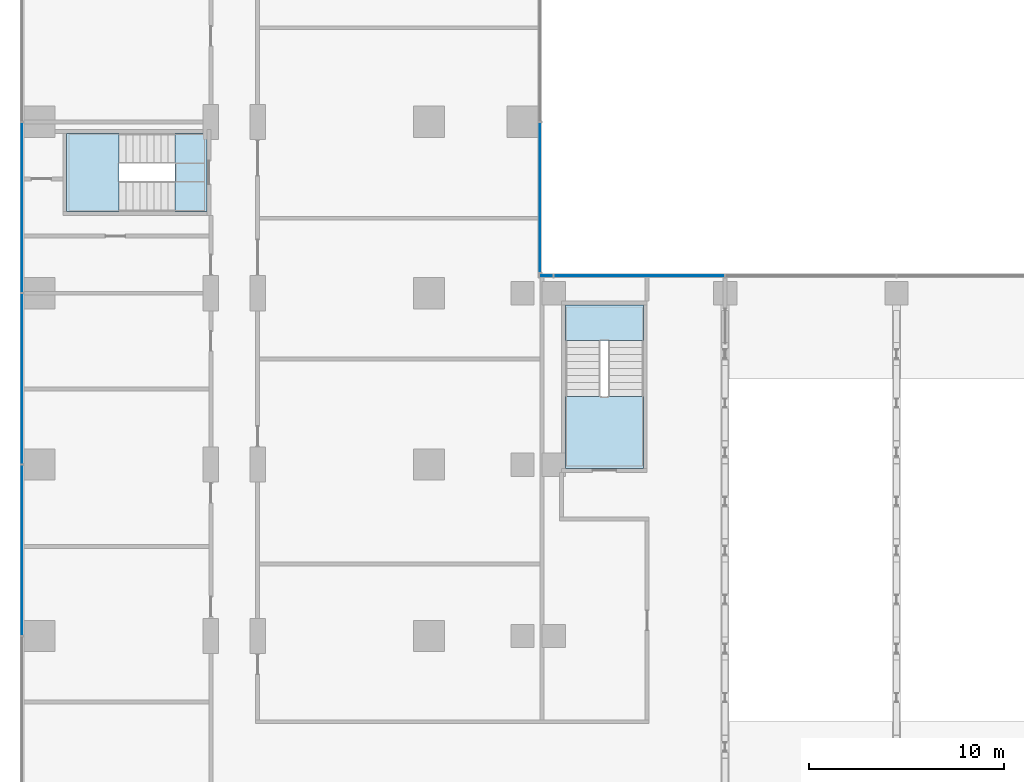
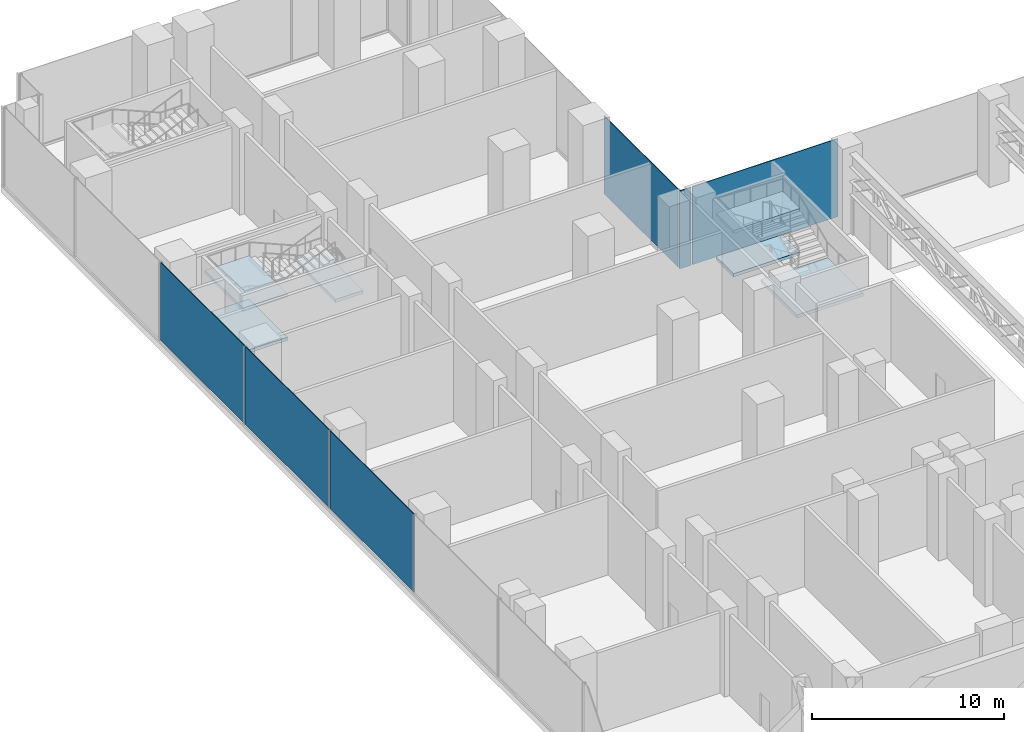
# One storey, part 14 of 30: 6 plates, 6 slabs, 5 elements without a shape of their own.
"""IFC4 building model written with IfcOpenShell, lengths in metres."""

from ifc_helpers import new_model, si_unit, direction, frame, origin, origin_2d, place, context, subcontext, project, spatial, polyline, rectangle, outline, extrude, source, transform, mapped, material, layer, layer_set, type_object, element, aggregate, save


model = new_model("IFC4")

# Units and contexts
model_context = context("Model", 3, precision=1e-05, world=origin(), true_north=direction((0.0, 1.0)))
body_context = subcontext(model_context, "Body", "Model", "MODEL_VIEW")
ifc_project = project(units=[si_unit("LENGTHUNIT", "METRE"), si_unit("AREAUNIT", "SQUARE_METRE"), si_unit("VOLUMEUNIT", "CUBIC_METRE"), si_unit("PLANEANGLEUNIT", "RADIAN"), si_unit("MASSUNIT", "GRAM", prefix="KILO")], contexts=[model_context])

# Site, building, storey
site_placement = place(None, origin())
site = spatial("IfcSite", under=ifc_project, at=site_placement, CompositionType="ELEMENT")
building_placement = place(site_placement, origin())
building = spatial("IfcBuilding", under=site, at=building_placement, Name="Kemantara Hotel Tower", CompositionType="ELEMENT")
storey_placement = place(building_placement, frame((0.0, 0.0, 23.5)))
storey = spatial("IfcBuildingStorey", under=building, at=storey_placement, Name="L04", CompositionType="ELEMENT", Elevation=23.5)

# Stair, slabs
ifc_material_1 = material(Name="Concrete fc 40 MPa", Category="concrete")
stair_type_1 = type_object("IfcStairType", Name="Stair 1550 wide 36 risers of 153 x 360 mm", PredefinedType="HALF_TURN_STAIR", material=ifc_material_1)
stair_1_placement = place(storey_placement, origin())
stair_1 = element("IfcStair", 1, at=stair_1_placement, inside=storey, type_object=stair_type_1, Name="L04 Exit stair ST4", PredefinedType="HALF_TURN_STAIR")
ifc_layer_1 = layer(ifc_material_1, 0.199951171875)
ifc_layer_set_1 = layer_set([ifc_layer_1], Name="Concrete fc 40 MPa")
slab_type = type_object("IfcSlabType", Name="Stair landing 200 mm", PredefinedType="LANDING", material=ifc_layer_set_1)
slab_1_placement = place(storey_placement, frame((0.0, 0.0, 1.175048828125)))
slab_1 = element("IfcSlab", 2, at=slab_1_placement, type_object=slab_type, Name="ST4 landing 1", PredefinedType="LANDING", context=body_context, shape_type="SweptSolid", body=[
    extrude(outline(polyline([(5.070068359375, 62.0), (2.39990234375, 62.0), (2.39990234375, 58.0), (5.070068359375, 58.0), (5.070068359375, 62.0)])), origin(), (0.0, 0.0, 1.0), 0.199951171875),
])
slab_2_placement = place(storey_placement, frame((0.0, 0.0, 2.550048828125)))
slab_2 = element("IfcSlab", 3, at=slab_2_placement, type_object=slab_type, Name="ST4 landing 2", PredefinedType="LANDING", context=body_context, shape_type="SweptSolid", body=[
    extrude(outline(polyline([(9.60009765625, 62.0), (7.949951171875, 62.0), (7.949951171875, 58.0), (9.60009765625, 58.0), (9.60009765625, 62.0)])), origin(), (0.0, 0.0, 1.0), 0.199951171875),
])
slab_3_placement = place(storey_placement, frame((0.0, 0.0, 3.925048828125)))
slab_3 = element("IfcSlab", 4, at=slab_3_placement, type_object=slab_type, Name="ST4 landing 3", PredefinedType="LANDING", context=body_context, shape_type="SweptSolid", body=[
    extrude(outline(polyline([(5.070068359375, 62.0), (2.39990234375, 62.0), (2.39990234375, 58.0), (5.070068359375, 58.0), (5.070068359375, 62.0)])), origin(), (0.0, 0.0, 1.0), 0.199951171875),
])
aggregate(stair_1, [slab_1, slab_2, slab_3])

stair_type_2 = type_object("IfcStairType", Name="Stair 1800 wide 36 risers of 153 x 360 mm", PredefinedType="HALF_TURN_STAIR", material=ifc_material_1)
stair_2_placement = place(storey_placement, origin())
stair_2 = element("IfcStair", 5, at=stair_2_placement, inside=storey, type_object=stair_type_2, Name="L04 Stair PS2", PredefinedType="HALF_TURN_STAIR")
slab_4_placement = place(storey_placement, frame((0.0, 0.0, 1.175048828125)))
slab_4 = element("IfcSlab", 6, at=slab_4_placement, type_object=slab_type, Name="PS2 landing 1", PredefinedType="LANDING", context=body_context, shape_type="SweptSolid", body=[
    extrude(outline(polyline([(32.0, 51.3798828125), (32.0, 53.199951171875), (28.0, 53.199951171875), (28.0, 51.3798828125), (32.0, 51.3798828125)])), origin(), (0.0, 0.0, 1.0), 0.199951171875),
])
slab_5_placement = place(storey_placement, frame((0.0, 0.0, 2.550048828125)))
slab_5 = element("IfcSlab", 7, at=slab_5_placement, type_object=slab_type, Name="PS2 landing 2", PredefinedType="LANDING", context=body_context, shape_type="SweptSolid", body=[
    extrude(outline(polyline([(32.0, 44.800048828125), (32.0, 48.5), (28.0, 48.5), (28.0, 44.800048828125), (32.0, 44.800048828125)])), origin(), (0.0, 0.0, 1.0), 0.199951171875),
])
slab_6_placement = place(storey_placement, frame((0.0, 0.0, 3.925048828125)))
slab_6 = element("IfcSlab", 8, at=slab_6_placement, type_object=slab_type, Name="PS2 landing 3", PredefinedType="LANDING", context=body_context, shape_type="SweptSolid", body=[
    extrude(outline(polyline([(32.0, 51.3798828125), (32.0, 53.199951171875), (28.0, 53.199951171875), (28.0, 51.3798828125), (32.0, 51.3798828125)])), origin(), (0.0, 0.0, 1.0), 0.199951171875),
])
aggregate(stair_2, [slab_4, slab_5, slab_6])

# Curtain wall, plate
ifc_material_2 = material(Name="Laminated tinted insulated glass 44 mm", Category="glass")
curtain_wall_type = type_object("IfcCurtainWallType", Name="PODIUM GLASS CURTAIN WALL", PredefinedType="USERDEFINED", material=ifc_material_2)
curtain_wall_1_placement = place(storey_placement, origin())
curtain_wall_1 = element("IfcCurtainWall", 9, at=curtain_wall_1_placement, inside=storey, type_object=curtain_wall_type, Name="CW1 L04 POD-R09-1", ObjectType="PODIUM GLASS CURTAIN WALL", PredefinedType="USERDEFINED")
ifc_layer_2 = layer(ifc_material_2, 0.0439453125)
ifc_layer_set_2 = layer_set([ifc_layer_2], Name="Laminated tinted insulated glass 44 mm")
plate_type = type_object("IfcPlateType", Name="PODIUM GLASS CURTAIN WALL PANEL", PredefinedType="CURTAIN_PANEL", material=ifc_layer_set_2)
shared_shape_1 = source(origin(), body_context, "Body", "SweptSolid", [
    extrude(rectangle(XDim=8.72509765625, YDim=0.0439453125, at=origin_2d()), origin(), (0.0, 0.0, 1.0), 4.949951171875),
])
plate_1_placement = place(storey_placement, frame((31.800048828125, 54.699951171875, 0.14990234375), z_axis=(0.0, 0.0, 1.0), x_axis=(-1.0, 0.0, 0.0)))
plate_1 = element("IfcPlate", 10, at=plate_1_placement, type_object=plate_type, Name="CW1 glass panel POD-R09-1.5", PredefinedType="CURTAIN_PANEL", context=body_context, shape_type="MappedRepresentation", body=[
    mapped(shared_shape_1, transform((0.0, 0.0, 0.0))),
])

# Curtain wall, plates
curtain_wall_2_placement = place(storey_placement, origin())
curtain_wall_2 = element("IfcCurtainWall", 11, at=curtain_wall_2_placement, inside=storey, type_object=curtain_wall_type, Name="CW1 L04 POD-R16-1", ObjectType="PODIUM GLASS CURTAIN WALL", PredefinedType="USERDEFINED")
plate_2_placement = place(storey_placement, frame((0.10009765625, 58.199951171875, 0.14990234375), z_axis=(0.0, 0.0, 1.0), x_axis=(0.0, -1.0, 0.0)))
plate_2 = element("IfcPlate", 12, at=plate_2_placement, type_object=plate_type, Name="CW1 glass panel POD-R16-1.3", PredefinedType="CURTAIN_PANEL", context=body_context, shape_type="MappedRepresentation", body=[
    mapped(shared_shape_1, transform((0.0, 0.0, 0.0))),
])
plate_3_placement = place(storey_placement, frame((0.10009765625, 49.39990234375, 0.14990234375), z_axis=(0.0, 0.0, 1.0), x_axis=(0.0, -1.0, 0.0)))
plate_3 = element("IfcPlate", 13, at=plate_3_placement, type_object=plate_type, Name="CW1 glass panel POD-R16-1.4", PredefinedType="CURTAIN_PANEL", context=body_context, shape_type="MappedRepresentation", body=[
    mapped(shared_shape_1, transform((0.0, 0.0, 0.0))),
])
plate_4_placement = place(storey_placement, frame((0.10009765625, 40.60009765625, 0.14990234375), z_axis=(0.0, 0.0, 1.0), x_axis=(0.0, -1.0, 0.0)))
plate_4 = element("IfcPlate", 14, at=plate_4_placement, type_object=plate_type, Name="CW1 glass panel POD-R16-1.5", PredefinedType="CURTAIN_PANEL", context=body_context, shape_type="MappedRepresentation", body=[
    mapped(shared_shape_1, transform((0.0, 0.0, 0.0))),
])
aggregate(curtain_wall_2, [plate_2, plate_3, plate_4])

# Plate
shared_shape_2 = source(origin(), body_context, "Body", "SweptSolid", [
    extrude(rectangle(XDim=0.6875, YDim=0.0439453125, at=origin_2d()), origin(), (0.0, 0.0, 1.0), 4.949951171875),
])
plate_5_placement = place(storey_placement, frame((27.018798828125, 54.699951171875, 0.14990234375), z_axis=(0.0, 0.0, 1.0), x_axis=(-1.0, 0.0, 0.0)))
plate_5 = element("IfcPlate", 15, at=plate_5_placement, type_object=plate_type, Name="CW1 glass panel POD-R09-1.6", PredefinedType="CURTAIN_PANEL", context=body_context, shape_type="MappedRepresentation", body=[
    mapped(shared_shape_2, transform((0.0, 0.0, 0.0))),
])

aggregate(curtain_wall_1, [plate_1, plate_5])

# Curtain wall, plate
curtain_wall_3_placement = place(storey_placement, origin())
curtain_wall_3 = element("IfcCurtainWall", 16, at=curtain_wall_3_placement, inside=storey, type_object=curtain_wall_type, Name="CW1 L04 POD-R10-1", ObjectType="PODIUM GLASS CURTAIN WALL", PredefinedType="USERDEFINED")
shared_shape_3 = source(origin(), body_context, "Body", "SweptSolid", [
    extrude(rectangle(XDim=7.6875, YDim=0.0439453125, at=origin_2d()), origin(), (0.0, 0.0, 1.0), 4.949951171875),
])
plate_6_placement = place(storey_placement, frame((26.699951171875, 58.71875, 0.14990234375), z_axis=(0.0, 0.0, 1.0), x_axis=(0.0, 1.0, 0.0)))
plate_6 = element("IfcPlate", 17, at=plate_6_placement, type_object=plate_type, Name="CW1 glass panel POD-R10-1.1", PredefinedType="CURTAIN_PANEL", context=body_context, shape_type="MappedRepresentation", body=[
    mapped(shared_shape_3, transform((0.0, 0.0, 0.0))),
])
aggregate(curtain_wall_3, [plate_6])

save(model, "model.ifc")
